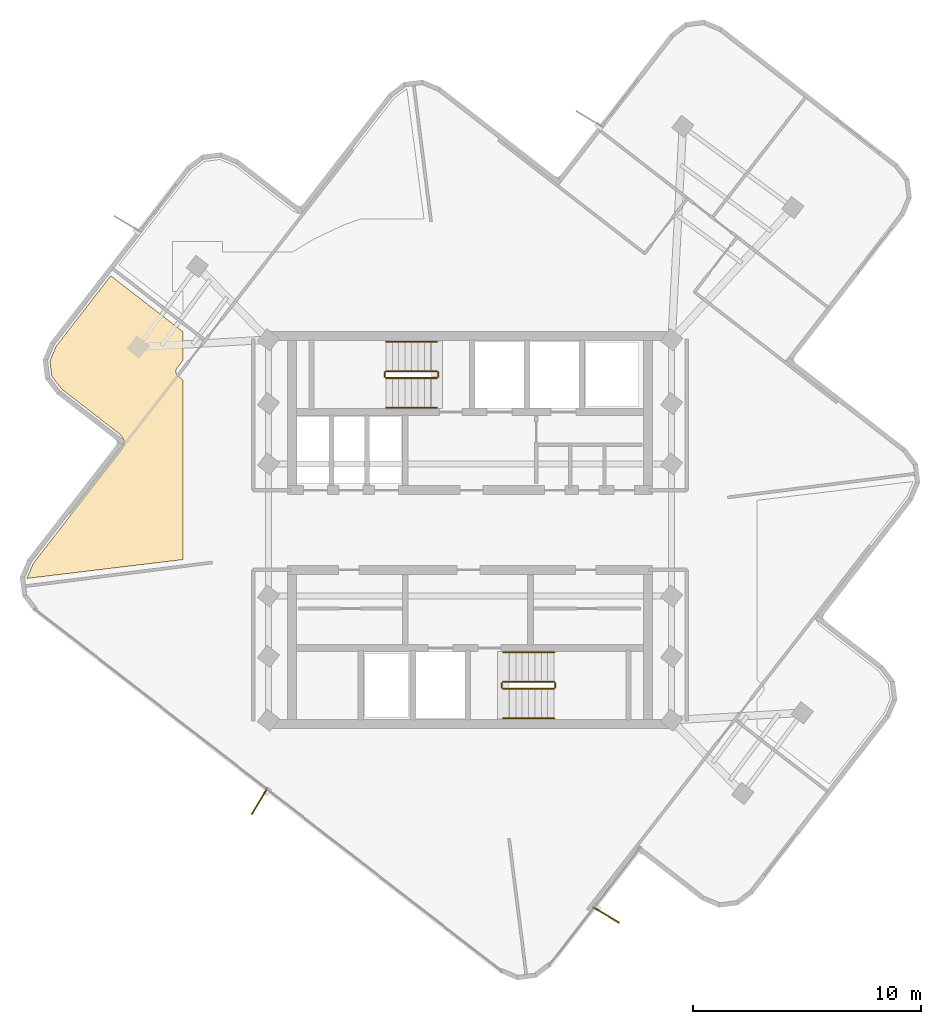
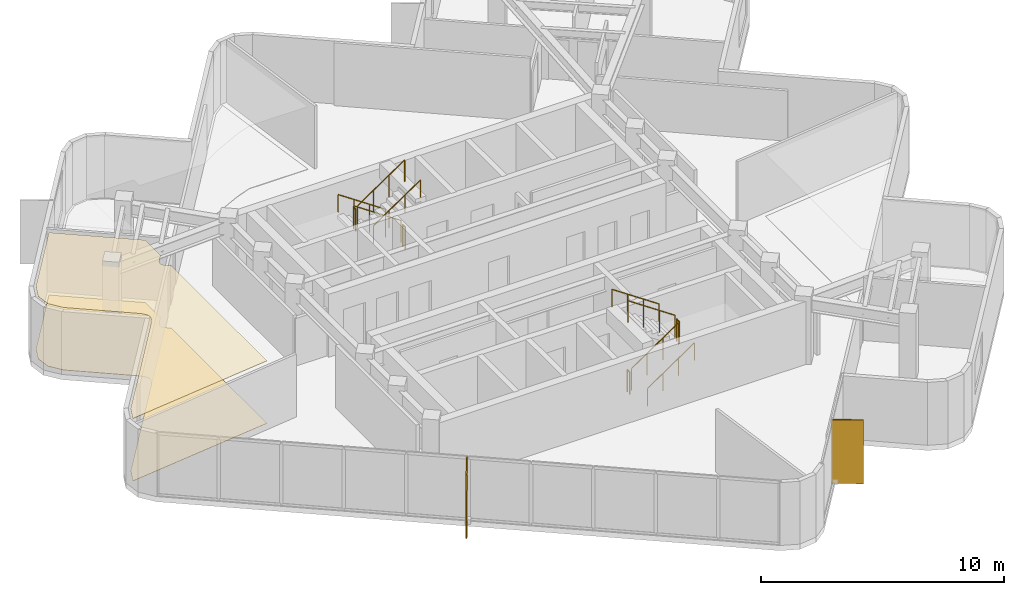
# One storey, part 9 of 10: 12 railings, 2 coverings, 2 shading devices.
"""IFC4 building model written with IfcOpenShell, lengths in metres."""

from ifc_helpers import new_model, si_unit, direction, frame, origin, origin_2d, place, context, subcontext, project, spatial, polyline, rectangle, circle, outline, extrude, material, layer, layer_set, type_object, element, save


model = new_model("IFC4")

# Units and contexts
model_context = context("Model", 3, precision=1e-05, world=origin(), true_north=direction((0.0, 1.0)))
body_context = subcontext(model_context, "Body", "Model", "MODEL_VIEW")
ifc_project = project(units=[si_unit("LENGTHUNIT", "METRE"), si_unit("AREAUNIT", "SQUARE_METRE"), si_unit("VOLUMEUNIT", "CUBIC_METRE"), si_unit("PLANEANGLEUNIT", "RADIAN"), si_unit("MASSUNIT", "GRAM", prefix="KILO")], contexts=[model_context])

# Site, building, storey
site_placement = place(None, origin())
site = spatial("IfcSite", under=ifc_project, at=site_placement, CompositionType="ELEMENT")
building_placement = place(site_placement, origin())
building = spatial("IfcBuilding", under=site, at=building_placement, Name="Solmarez Civic Tower", CompositionType="ELEMENT")
storey_placement = place(building_placement, frame((0.0, 0.0, 257.760009765625)))
storey = spatial("IfcBuildingStorey", under=building, at=storey_placement, Name="L69", CompositionType="ELEMENT", Elevation=257.760009765625)

# Coverings
ifc_material_1 = material(Name="Perforated Mineral-Fibre Acoustic Ceiling")
ifc_layer_1 = layer(ifc_material_1, 0.02490234375)
ifc_layer_set_1 = layer_set([ifc_layer_1], Name="Perforated Mineral-Fibre Acoustic Ceiling")
covering_type_1 = type_object("IfcCoveringType", Name="COV-CEIL-ACOUSTIC", PredefinedType="CEILING", material=ifc_layer_set_1)
covering_1_placement = place(storey_placement, frame((0.0, 0.0, 3.135009765625)))
element("IfcCovering", 1, at=covering_1_placement, inside=storey, type_object=covering_type_1, Name="L69 Suspended Acoustic Ceiling 1", PredefinedType="CEILING", context=body_context, shape_type="SweptSolid", body=[
    extrude(outline(polyline([(-15.406982421875, 4.23095703125), (-15.39111328125, 4.218994140625), (-15.3740234375, 4.202880859375), (-15.35693359375, 4.18310546875), (-15.35302734375, 4.178955078125), (-15.346923828125, 4.1708984375), (-15.242919921875, 4.033935546875), (-15.235107421875, 4.02294921875), (-15.23095703125, 4.01708984375), (-15.222900390625, 4.00390625), (-15.218994140625, 3.9970703125), (-15.2080078125, 3.97509765625), (-15.205078125, 3.968017578125), (-15.195068359375, 3.94091796875), (-15.193115234375, 3.93408203125), (-15.19091796875, 3.927001953125), (-15.18701171875, 3.910888671875), (-15.18505859375, 3.89404296875), (-15.18408203125, 3.885986328125), (-15.181884765625, 3.85888671875), (-15.181884765625, 3.843994140625), (-15.18408203125, 3.81689453125), (-15.18701171875, 3.798095703125), (-15.18896484375, 3.791015625), (-15.19091796875, 3.779052734375), (-15.196044921875, 3.760009765625), (-15.202880859375, 3.741943359375), (-15.2060546875, 3.736083984375), (-15.27197265625, 3.577880859375), (-15.278076171875, 3.56494140625), (-15.281005859375, 3.55908203125), (-15.283935546875, 3.552978515625), (-15.298095703125, 3.529052734375), (-15.302001953125, 3.52294921875), (-15.31103515625, 3.510009765625), (-19.172119140625, -1.467041015625), (-19.447021484375, -2.1201171875), (-19.446044921875, -2.126953125), (-12.60009765625, -1.300048828125), (-12.60009765625, 6.5830078125), (-12.804931640625, 6.741943359375), (-12.825927734375, 6.760009765625), (-12.8330078125, 6.76708984375), (-12.84912109375, 6.785888671875), (-12.864013671875, 6.805908203125), (-12.868896484375, 6.81396484375), (-12.883056640625, 6.842041015625), (-12.886962890625, 6.85107421875), (-12.889892578125, 6.85791015625), (-12.89208984375, 6.863037109375), (-12.89892578125, 6.883056640625), (-12.904052734375, 6.903076171875), (-12.906982421875, 6.923095703125), (-12.907958984375, 6.93310546875), (-12.908935546875, 6.9560546875), (-12.907958984375, 6.97900390625), (-12.906982421875, 6.988037109375), (-12.904052734375, 7.007080078125), (-12.903076171875, 7.011962890625), (-12.89599609375, 7.0390625), (-12.89306640625, 7.048095703125), (-12.885009765625, 7.06689453125), (-12.8759765625, 7.0849609375), (-12.87109375, 7.093994140625), (-12.863037109375, 7.10791015625), (-12.85302734375, 7.1220703125), (-12.60009765625, 7.447998046875), (-12.60009765625, 8.697998046875), (-15.77099609375, 11.156982421875), (-18.1669921875, 8.068115234375), (-18.44189453125, 7.4140625), (-18.35791015625, 6.751953125), (-17.929931640625, 6.18798828125), (-15.406982421875, 4.23095703125)])), origin(), (0.0, 0.0, 1.0), 0.02490234375),
])
ifc_material_2 = material(Name="Polished Tropical Stone Terrazzo Flooring", Category="masonry")
ifc_layer_2 = layer(ifc_material_2, 0.02001953125)
ifc_layer_set_2 = layer_set([ifc_layer_2], Name="Polished Tropical Stone Terrazzo Flooring")
covering_type_2 = type_object("IfcCoveringType", Name="COV-FLOOR-TERRAZZO", PredefinedType="FLOORING", material=ifc_layer_set_2)
covering_2_placement = place(storey_placement, origin())
element("IfcCovering", 2, at=covering_2_placement, inside=storey, type_object=covering_type_2, Name="L69 Terrazzo Floor Finish 1", PredefinedType="FLOORING", context=body_context, shape_type="SweptSolid", body=[
    extrude(outline(polyline([(-15.406982421875, 4.23095703125), (-15.39111328125, 4.218994140625), (-15.3740234375, 4.202880859375), (-15.35693359375, 4.18310546875), (-15.35302734375, 4.178955078125), (-15.346923828125, 4.1708984375), (-15.242919921875, 4.033935546875), (-15.235107421875, 4.02294921875), (-15.23095703125, 4.01708984375), (-15.222900390625, 4.00390625), (-15.218994140625, 3.9970703125), (-15.2080078125, 3.97509765625), (-15.205078125, 3.968017578125), (-15.195068359375, 3.94091796875), (-15.193115234375, 3.93408203125), (-15.19091796875, 3.927001953125), (-15.18701171875, 3.910888671875), (-15.18505859375, 3.89404296875), (-15.18408203125, 3.885986328125), (-15.181884765625, 3.85888671875), (-15.181884765625, 3.843994140625), (-15.18408203125, 3.81689453125), (-15.18701171875, 3.798095703125), (-15.18896484375, 3.791015625), (-15.19091796875, 3.779052734375), (-15.196044921875, 3.760009765625), (-15.202880859375, 3.741943359375), (-15.2060546875, 3.736083984375), (-15.27197265625, 3.577880859375), (-15.278076171875, 3.56494140625), (-15.281005859375, 3.55908203125), (-15.283935546875, 3.552978515625), (-15.298095703125, 3.529052734375), (-15.302001953125, 3.52294921875), (-15.31103515625, 3.510009765625), (-19.172119140625, -1.467041015625), (-19.447021484375, -2.1201171875), (-19.446044921875, -2.126953125), (-12.60009765625, -1.300048828125), (-12.60009765625, 6.5830078125), (-12.804931640625, 6.741943359375), (-12.825927734375, 6.760009765625), (-12.8330078125, 6.76708984375), (-12.84912109375, 6.785888671875), (-12.864013671875, 6.805908203125), (-12.868896484375, 6.81396484375), (-12.883056640625, 6.842041015625), (-12.886962890625, 6.85107421875), (-12.889892578125, 6.85791015625), (-12.89208984375, 6.863037109375), (-12.89892578125, 6.883056640625), (-12.904052734375, 6.903076171875), (-12.906982421875, 6.923095703125), (-12.907958984375, 6.93310546875), (-12.908935546875, 6.9560546875), (-12.907958984375, 6.97900390625), (-12.906982421875, 6.988037109375), (-12.904052734375, 7.007080078125), (-12.903076171875, 7.011962890625), (-12.89599609375, 7.0390625), (-12.89306640625, 7.048095703125), (-12.885009765625, 7.06689453125), (-12.8759765625, 7.0849609375), (-12.87109375, 7.093994140625), (-12.863037109375, 7.10791015625), (-12.85302734375, 7.1220703125), (-12.60009765625, 7.447998046875), (-12.60009765625, 8.697998046875), (-15.77099609375, 11.156982421875), (-18.1669921875, 8.068115234375), (-18.44189453125, 7.4140625), (-18.35791015625, 6.751953125), (-17.929931640625, 6.18798828125), (-15.406982421875, 4.23095703125)])), origin(), (0.0, 0.0, 1.0), 0.02001953125),
])

# Shading devices
ifc_material_3 = material(Name="Bronze Anodised Aluminium EN AW-6063 T6", Category="aluminium")
ifc_layer_3 = layer(ifc_material_3, 0.054931640625)
ifc_layer_set_3 = layer_set([ifc_layer_3], Name="Bronze Anodised Aluminium EN AW-6063 T6")
shading_device_type = type_object("IfcShadingDeviceType", Name="FIN-BRONZE-Z56", PredefinedType="USERDEFINED", material=ifc_layer_set_3)
for number, where, z_axis, x_axis, name in (
    (3, (5.971923828125, -16.89794921875, -0.0400390625), (0.0, 0.0, 1.0), (0.857490739449, -0.514499399182, 0.0), "L69 Anodised Bronze Solar Fin FIN-L69-01"),
    (4, (-9.239990234375, -11.912109375, -0.0400390625), (0.0, 0.0, 1.0), (-0.514484433067, -0.857499719027, 0.0), "L69 Anodised Bronze Solar Fin FIN-L69-02"),
):
    element("IfcShadingDevice", number, at=place(storey_placement, frame(where, z_axis=z_axis, x_axis=x_axis)), inside=storey, type_object=shading_device_type, Name=name, ObjectType="FIN", PredefinedType="USERDEFINED", context=body_context, shape_type="SweptSolid", body=[
        extrude(rectangle(XDim=1.35009765625, YDim=0.054931640625, at=origin_2d()), origin(), (0.0, 0.0, 1.0), 3.199951171875),
    ])

# Railings
ifc_material_4 = material(Name="Painted Steel Stairwell Safety Guard", Category="steel")
railing_type_1 = type_object("IfcRailingType", Name="GUARD-STAIR-1120", PredefinedType="BALUSTRADE", material=ifc_material_4)
railing_1_placement = place(storey_placement, frame((-1.449951171875, 6.969970703125, 0.18994140625)))
element("IfcRailing", 5, at=railing_1_placement, inside=storey, type_object=railing_type_1, Name="L69 ST-1 stair guard 1", PredefinedType="BALUSTRADE", context=body_context, shape_type="SweptSolid", body=[
    extrude(circle(Radius=0.02392578125, at=origin_2d()), frame((0.0, 0.0, 1.09619140625), z_axis=(-0.827471284677, 0.0, 0.561508034703), x_axis=(0.0, -1.0, 0.0)), (0.0, 0.0, 1.0), 2.70703125),
    extrude(circle(Radius=0.02099609375, at=origin_2d()), origin(), (0.0, 0.0, 1.0), 1.072021484375),
    extrude(circle(Radius=0.02099609375, at=origin_2d()), frame((-0.74658203125, 0.0, 0.506591796875)), (0.0, 0.0, 1.0), 1.072021484375),
    extrude(circle(Radius=0.02099609375, at=origin_2d()), frame((-1.493408203125, 0.0, 1.013427734375)), (0.0, 0.0, 1.0), 1.072021484375),
    extrude(circle(Radius=0.02099609375, at=origin_2d()), frame((-2.239990234375, 0.0, 1.52001953125)), (0.0, 0.0, 1.0), 1.072021484375),
])
railing_2_placement = place(storey_placement, frame((-3.739990234375, 6.919921875, 1.7099609375)))
element("IfcRailing", 6, at=railing_2_placement, inside=storey, type_object=railing_type_1, Name="L69 ST-1 stair guard 2", PredefinedType="BALUSTRADE", context=body_context, shape_type="SweptSolid", body=[
    extrude(circle(Radius=0.02392578125, at=origin_2d()), frame((0.0, 0.0, 1.09619140625), z_axis=(0.0, -1.0, 0.0), x_axis=(1.0, 0.0, 0.0)), (0.0, 0.0, 1.0), 0.199951171875),
    extrude(circle(Radius=0.02099609375, at=origin_2d()), origin(), (0.0, 0.0, 1.0), 1.072021484375),
    extrude(circle(Radius=0.02099609375, at=origin_2d()), frame((0.0, -0.199951171875, 0.0)), (0.0, 0.0, 1.0), 1.072021484375),
])
railing_3_placement = place(storey_placement, frame((-3.68994140625, 6.669921875, 1.89990234375)))
element("IfcRailing", 7, at=railing_3_placement, inside=storey, type_object=railing_type_1, Name="L69 ST-1 stair guard 3", PredefinedType="BALUSTRADE", context=body_context, shape_type="SweptSolid", body=[
    extrude(circle(Radius=0.02392578125, at=origin_2d()), frame((0.0, 0.0, 1.09619140625), z_axis=(0.827471284677, 0.0, 0.561508034703), x_axis=(0.0, 1.0, 0.0)), (0.0, 0.0, 1.0), 2.70703125),
    extrude(circle(Radius=0.02099609375, at=origin_2d()), origin(), (0.0, 0.0, 1.0), 1.072021484375),
    extrude(circle(Radius=0.02099609375, at=origin_2d()), frame((0.74658203125, 0.0, 0.506591796875)), (0.0, 0.0, 1.0), 1.072021484375),
    extrude(circle(Radius=0.02099609375, at=origin_2d()), frame((1.493408203125, 0.0, 1.013427734375)), (0.0, 0.0, 1.0), 1.072021484375),
    extrude(circle(Radius=0.02099609375, at=origin_2d()), frame((2.239990234375, 0.0, 1.52001953125)), (0.0, 0.0, 1.0), 1.072021484375),
])
railing_4_placement = place(storey_placement, frame((-1.39990234375, 6.919921875, 0.0)))
element("IfcRailing", 8, at=railing_4_placement, inside=storey, type_object=railing_type_1, Name="L69 ST-1 stair guard 4", PredefinedType="BALUSTRADE", context=body_context, shape_type="SweptSolid", body=[
    extrude(circle(Radius=0.02392578125, at=origin_2d()), frame((0.0, 0.0, 1.09619140625), z_axis=(0.0, -1.0, 0.0), x_axis=(1.0, 0.0, 0.0)), (0.0, 0.0, 1.0), 0.199951171875),
    extrude(circle(Radius=0.02099609375, at=origin_2d()), origin(), (0.0, 0.0, 1.0), 1.072021484375),
    extrude(circle(Radius=0.02099609375, at=origin_2d()), frame((0.0, -0.199951171875, 0.0)), (0.0, 0.0, 1.0), 1.072021484375),
])
railing_5_placement = place(storey_placement, frame((1.449951171875, -6.969970703125, 0.18994140625)))
element("IfcRailing", 9, at=railing_5_placement, inside=storey, type_object=railing_type_1, Name="L69 ST-2 stair guard 1", PredefinedType="BALUSTRADE", context=body_context, shape_type="SweptSolid", body=[
    extrude(circle(Radius=0.02392578125, at=origin_2d()), frame((0.0, 0.0, 1.09619140625), z_axis=(0.827471284677, 0.0, 0.561508034703), x_axis=(0.0, 1.0, 0.0)), (0.0, 0.0, 1.0), 2.70703125),
    extrude(circle(Radius=0.02099609375, at=origin_2d()), origin(), (0.0, 0.0, 1.0), 1.072021484375),
    extrude(circle(Radius=0.02099609375, at=origin_2d()), frame((0.74658203125, 0.0, 0.506591796875)), (0.0, 0.0, 1.0), 1.072021484375),
    extrude(circle(Radius=0.02099609375, at=origin_2d()), frame((1.493408203125, 0.0, 1.013427734375)), (0.0, 0.0, 1.0), 1.072021484375),
    extrude(circle(Radius=0.02099609375, at=origin_2d()), frame((2.239990234375, 0.0, 1.52001953125)), (0.0, 0.0, 1.0), 1.072021484375),
])
railing_6_placement = place(storey_placement, frame((3.739990234375, -6.919921875, 1.7099609375)))
element("IfcRailing", 10, at=railing_6_placement, inside=storey, type_object=railing_type_1, Name="L69 ST-2 stair guard 2", PredefinedType="BALUSTRADE", context=body_context, shape_type="SweptSolid", body=[
    extrude(circle(Radius=0.02392578125, at=origin_2d()), frame((0.0, 0.0, 1.09619140625), z_axis=(0.0, 1.0, 0.0), x_axis=(-1.0, 0.0, 0.0)), (0.0, 0.0, 1.0), 0.199951171875),
    extrude(circle(Radius=0.02099609375, at=origin_2d()), origin(), (0.0, 0.0, 1.0), 1.072021484375),
    extrude(circle(Radius=0.02099609375, at=origin_2d()), frame((0.0, 0.199951171875, 0.0)), (0.0, 0.0, 1.0), 1.072021484375),
])
railing_7_placement = place(storey_placement, frame((3.68994140625, -6.669921875, 1.89990234375)))
element("IfcRailing", 11, at=railing_7_placement, inside=storey, type_object=railing_type_1, Name="L69 ST-2 stair guard 3", PredefinedType="BALUSTRADE", context=body_context, shape_type="SweptSolid", body=[
    extrude(circle(Radius=0.02392578125, at=origin_2d()), frame((0.0, 0.0, 1.09619140625), z_axis=(-0.827471284677, 0.0, 0.561508034703), x_axis=(0.0, -1.0, 0.0)), (0.0, 0.0, 1.0), 2.70703125),
    extrude(circle(Radius=0.02099609375, at=origin_2d()), origin(), (0.0, 0.0, 1.0), 1.072021484375),
    extrude(circle(Radius=0.02099609375, at=origin_2d()), frame((-0.74658203125, 0.0, 0.506591796875)), (0.0, 0.0, 1.0), 1.072021484375),
    extrude(circle(Radius=0.02099609375, at=origin_2d()), frame((-1.493408203125, 0.0, 1.013427734375)), (0.0, 0.0, 1.0), 1.072021484375),
    extrude(circle(Radius=0.02099609375, at=origin_2d()), frame((-2.239990234375, 0.0, 1.52001953125)), (0.0, 0.0, 1.0), 1.072021484375),
])
railing_8_placement = place(storey_placement, frame((1.39990234375, -6.919921875, 0.0)))
element("IfcRailing", 12, at=railing_8_placement, inside=storey, type_object=railing_type_1, Name="L69 ST-2 stair guard 4", PredefinedType="BALUSTRADE", context=body_context, shape_type="SweptSolid", body=[
    extrude(circle(Radius=0.02392578125, at=origin_2d()), frame((0.0, 0.0, 1.09619140625), z_axis=(0.0, 1.0, 0.0), x_axis=(-1.0, 0.0, 0.0)), (0.0, 0.0, 1.0), 0.199951171875),
    extrude(circle(Radius=0.02099609375, at=origin_2d()), origin(), (0.0, 0.0, 1.0), 1.072021484375),
    extrude(circle(Radius=0.02099609375, at=origin_2d()), frame((0.0, 0.199951171875, 0.0)), (0.0, 0.0, 1.0), 1.072021484375),
])
ifc_material_5 = material(Name="Brushed Stainless Steel Tube Handrail", Category="steel")
railing_type_2 = type_object("IfcRailingType", Name="HANDRAIL-STAIR-900", PredefinedType="HANDRAIL", material=ifc_material_5)
railing_9_placement = place(storey_placement, frame((-1.449951171875, 8.27001953125, 0.18994140625)))
element("IfcRailing", 13, at=railing_9_placement, inside=storey, type_object=railing_type_2, Name="L69 ST-1 stair handrail 1", PredefinedType="HANDRAIL", context=body_context, shape_type="SweptSolid", body=[
    extrude(circle(Radius=0.02392578125, at=origin_2d()), frame((0.0, 0.0, 0.8759765625), z_axis=(-0.827471284677, 0.0, 0.561508034703), x_axis=(0.0, -1.0, 0.0)), (0.0, 0.0, 1.0), 2.70703125),
    extrude(circle(Radius=0.02099609375, at=origin_2d()), origin(), (0.0, 0.0, 1.0), 0.851806640625),
    extrude(circle(Radius=0.02099609375, at=origin_2d()), frame((-0.74658203125, 0.0, 0.506591796875)), (0.0, 0.0, 1.0), 0.851806640625),
    extrude(circle(Radius=0.02099609375, at=origin_2d()), frame((-1.493408203125, 0.0, 1.013427734375)), (0.0, 0.0, 1.0), 0.851806640625),
    extrude(circle(Radius=0.02099609375, at=origin_2d()), frame((-2.239990234375, 0.0, 1.52001953125)), (0.0, 0.0, 1.0), 0.851806640625),
])
for number, where, name in (
    (14, (-3.68994140625, 5.3701171875, 1.89990234375), "L69 ST-1 stair handrail 2"),
    (15, (1.449951171875, -8.27001953125, 0.18994140625), "L69 ST-2 stair handrail 1"),
):
    element("IfcRailing", number, at=place(storey_placement, frame(where)), inside=storey, type_object=railing_type_2, Name=name, PredefinedType="HANDRAIL", context=body_context, shape_type="SweptSolid", body=[
        extrude(circle(Radius=0.02392578125, at=origin_2d()), frame((0.0, 0.0, 0.8759765625), z_axis=(0.827471284677, 0.0, 0.561508034703), x_axis=(0.0, 1.0, 0.0)), (0.0, 0.0, 1.0), 2.70703125),
        extrude(circle(Radius=0.02099609375, at=origin_2d()), origin(), (0.0, 0.0, 1.0), 0.851806640625),
        extrude(circle(Radius=0.02099609375, at=origin_2d()), frame((0.74658203125, 0.0, 0.506591796875)), (0.0, 0.0, 1.0), 0.851806640625),
        extrude(circle(Radius=0.02099609375, at=origin_2d()), frame((1.493408203125, 0.0, 1.013427734375)), (0.0, 0.0, 1.0), 0.851806640625),
        extrude(circle(Radius=0.02099609375, at=origin_2d()), frame((2.239990234375, 0.0, 1.52001953125)), (0.0, 0.0, 1.0), 0.851806640625),
    ])
railing_10_placement = place(storey_placement, frame((3.68994140625, -5.3701171875, 1.89990234375)))
element("IfcRailing", 16, at=railing_10_placement, inside=storey, type_object=railing_type_2, Name="L69 ST-2 stair handrail 2", PredefinedType="HANDRAIL", context=body_context, shape_type="SweptSolid", body=[
    extrude(circle(Radius=0.02392578125, at=origin_2d()), frame((0.0, 0.0, 0.8759765625), z_axis=(-0.827471284677, 0.0, 0.561508034703), x_axis=(0.0, -1.0, 0.0)), (0.0, 0.0, 1.0), 2.70703125),
    extrude(circle(Radius=0.02099609375, at=origin_2d()), origin(), (0.0, 0.0, 1.0), 0.851806640625),
    extrude(circle(Radius=0.02099609375, at=origin_2d()), frame((-0.74658203125, 0.0, 0.506591796875)), (0.0, 0.0, 1.0), 0.851806640625),
    extrude(circle(Radius=0.02099609375, at=origin_2d()), frame((-1.493408203125, 0.0, 1.013427734375)), (0.0, 0.0, 1.0), 0.851806640625),
    extrude(circle(Radius=0.02099609375, at=origin_2d()), frame((-2.239990234375, 0.0, 1.52001953125)), (0.0, 0.0, 1.0), 0.851806640625),
])

save(model, "model.ifc")
